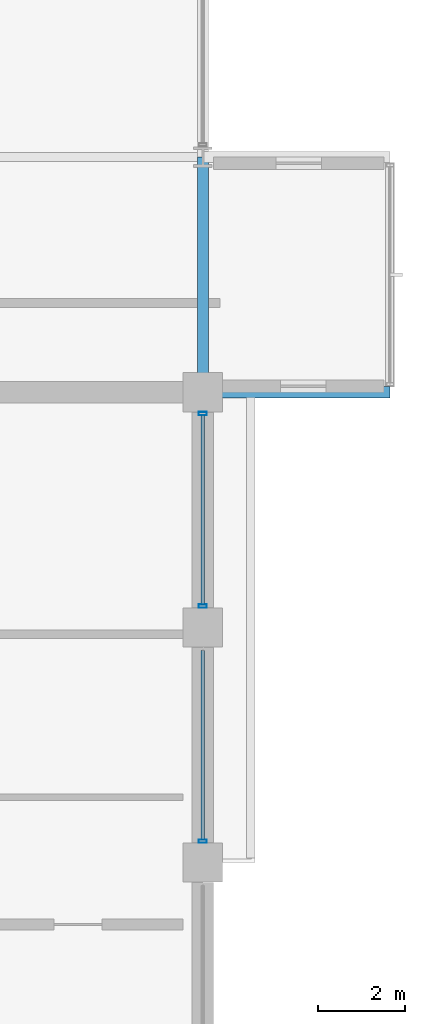
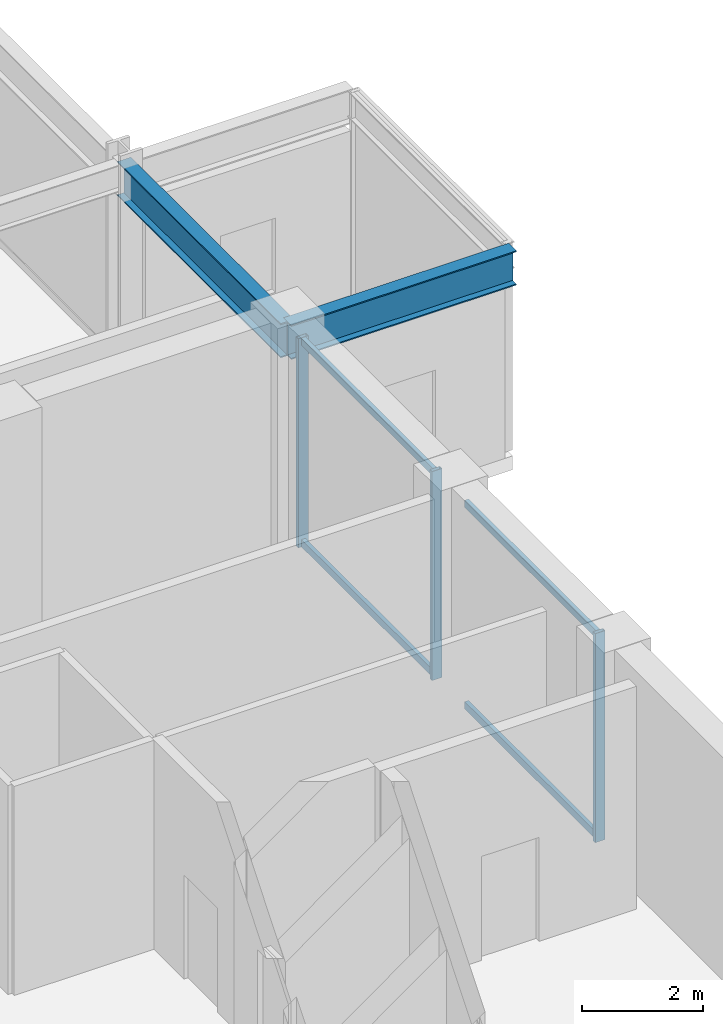
# One storey, part 9 of 22: 7 members, 2 beams, 1 element without a shape of its own.
"""IFC4 building model written with IfcOpenShell, lengths in metres."""

from ifc_helpers import new_model, si_unit, direction, frame, origin, origin_2d, place, context, subcontext, project, spatial, hollow_rectangle, i_section, extrude, material, layer, layer_set, material_profile, profile_set, type_object, element, aggregate, save


model = new_model("IFC4")

# Units and contexts
model_context = context("Model", 3, precision=1e-05, world=origin(), true_north=direction((0.0, 1.0)))
body_context = subcontext(model_context, "Body", "Model", "MODEL_VIEW")
ifc_project = project(units=[si_unit("LENGTHUNIT", "METRE"), si_unit("AREAUNIT", "SQUARE_METRE"), si_unit("VOLUMEUNIT", "CUBIC_METRE"), si_unit("PLANEANGLEUNIT", "RADIAN"), si_unit("MASSUNIT", "GRAM", prefix="KILO")], contexts=[model_context])

# Site, building, storey
site_placement = place(None, origin())
site = spatial("IfcSite", under=ifc_project, at=site_placement, CompositionType="ELEMENT")
building_placement = place(site_placement, origin())
building = spatial("IfcBuilding", under=site, at=building_placement, Name="Surkhivell Harbour Commons", CompositionType="ELEMENT")
storey_placement = place(building_placement, frame((0.0, 0.0, 342.0)))
storey = spatial("IfcBuildingStorey", under=building, at=storey_placement, Name="L89", CompositionType="ELEMENT", Elevation=342.0)

# Beams
ifc_material_1 = material(Name="Steel S460", Category="steel")
ifc_material_profile_1 = material_profile(ifc_material_1, i_section(OverallWidth=0.256103515625, OverallDepth=0.693115234375, WebThickness=0.014404296875, FlangeThickness=0.023681640625, at=origin_2d()), Name="UB686x254x170")
ifc_profile_set_1 = profile_set([ifc_material_profile_1], Name="Steel S460")
beam_type_1 = type_object("IfcBeamType", Name="BM-CNT-686", PredefinedType="BEAM", material=ifc_profile_set_1)
beam_1_placement = place(storey_placement, frame((10.800048828125, 10.800048828125, 3.87353515625), z_axis=(1.0, 0.0, 0.0), x_axis=(0.0, 1.0, 0.0)))
element("IfcBeam", 1, at=beam_1_placement, inside=storey, type_object=beam_type_1, Name="L89 Box Cantilever Outrigger (10.8,10.8)", PredefinedType="BEAM", context=body_context, shape_type="SweptSolid", body=[
    extrude(i_section(OverallWidth=0.256103515625, OverallDepth=0.693115234375, WebThickness=0.014404296875, FlangeThickness=0.023681640625, at=origin_2d()), origin(), (0.0, 0.0, 1.0), 4.300048828125),
])
ifc_material_2 = material(Name="Steel S355", Category="steel")
ifc_material_profile_2 = material_profile(ifc_material_2, i_section(OverallWidth=0.256103515625, OverallDepth=0.693115234375, WebThickness=0.014404296875, FlangeThickness=0.023681640625, at=origin_2d()), Name="UB686x254x170")
ifc_profile_set_2 = profile_set([ifc_material_profile_2], Name="Steel S355")
beam_type_2 = type_object("IfcBeamType", Name="BM-SPN-686", PredefinedType="SPANDREL", material=ifc_profile_set_2)
beam_2_placement = place(storey_placement, frame((10.800048828125, 10.800048828125, 3.87353515625), z_axis=(0.0, 1.0, 0.0), x_axis=(-1.0, 0.0, 0.0)))
element("IfcBeam", 2, at=beam_2_placement, inside=storey, type_object=beam_type_2, Name="L89 Tube Spandrel (10.8,10.8)", PredefinedType="SPANDREL", context=body_context, shape_type="SweptSolid", body=[
    extrude(i_section(OverallWidth=0.256103515625, OverallDepth=0.693115234375, WebThickness=0.014404296875, FlangeThickness=0.023681640625, at=origin_2d()), origin(), (0.0, 0.0, 1.0), 5.39990234375),
])

# Curtain wall, members
ifc_material_3 = material(Name="Anodised pale-metal aluminium and insulated glazing", Category="aluminium")
ifc_layer = layer(ifc_material_3, 0.22998046875)
ifc_layer_set = layer_set([ifc_layer], Name="Anodised pale-metal aluminium and insulated glazing")
curtain_wall_type = type_object("IfcCurtainWallType", Name="CW-SYS-CRN", PredefinedType="NOTDEFINED", material=ifc_layer_set)
curtain_wall_placement = place(storey_placement, origin())
curtain_wall = element("IfcCurtainWall", 3, at=curtain_wall_placement, inside=storey, type_object=curtain_wall_type, Name="L89 Curtain Wall CW-L89-C04S1", PredefinedType="NOTDEFINED")
ifc_material_4 = material(Name="Anodised pale-metal aluminium alloy 6063-T6", Category="aluminium")
ifc_material_profile_3 = material_profile(ifc_material_4, hollow_rectangle(XDim=0.074951171875, YDim=0.18994140625, WallThickness=0.00390625, at=origin_2d()), Name="ALU-MULL-75x190")
ifc_profile_set_3 = profile_set([ifc_material_profile_3], Name="Anodised pale-metal aluminium alloy 6063-T6")
member_type_1 = type_object("IfcMemberType", Name="CWM-190", PredefinedType="MULLION", material=ifc_profile_set_3)
member_1_placement = place(storey_placement, frame((10.800048828125, 0.489501953125, 0.0), z_axis=(0.0, 0.0, 1.0), x_axis=(0.0, 1.0, 0.0)))
member_1 = element("IfcMember", 4, at=member_1_placement, type_object=member_type_1, Name="CW-CRN mullion 3", PredefinedType="MULLION", context=body_context, shape_type="SweptSolid", body=[
    extrude(hollow_rectangle(XDim=0.074951171875, YDim=0.18994140625, WallThickness=0.00390625, at=origin_2d()), origin(), (0.0, 0.0, 1.0), 4.219970703125),
])
member_2_placement = place(storey_placement, frame((10.800048828125, 5.889404296875, 0.0), z_axis=(0.0, 0.0, 1.0), x_axis=(0.0, 1.0, 0.0)))
member_2 = element("IfcMember", 5, at=member_2_placement, type_object=member_type_1, Name="CW-CRN mullion 4", PredefinedType="MULLION", context=body_context, shape_type="SweptSolid", body=[
    extrude(hollow_rectangle(XDim=0.074951171875, YDim=0.18994140625, WallThickness=0.00390625, at=origin_2d()), origin(), (0.0, 0.0, 1.0), 4.219970703125),
])
member_3_placement = place(storey_placement, frame((10.800048828125, 10.310546875, 0.0), z_axis=(0.0, 0.0, 1.0), x_axis=(0.0, 1.0, 0.0)))
member_3 = element("IfcMember", 6, at=member_3_placement, type_object=member_type_1, Name="CW-CRN mullion 5", PredefinedType="MULLION", context=body_context, shape_type="SweptSolid", body=[
    extrude(hollow_rectangle(XDim=0.074951171875, YDim=0.18994140625, WallThickness=0.00390625, at=origin_2d()), origin(), (0.0, 0.0, 1.0), 4.219970703125),
])
ifc_material_profile_4 = material_profile(ifc_material_4, hollow_rectangle(XDim=0.074951171875, YDim=0.14990234375, WallThickness=0.00341796875, at=origin_2d()), Name="ALU-TRAN-75x150")
ifc_profile_set_4 = profile_set([ifc_material_profile_4], Name="Anodised pale-metal aluminium alloy 6063-T6")
member_type_2 = type_object("IfcMemberType", Name="CWT-150", PredefinedType="USERDEFINED", material=ifc_profile_set_4)
member_4_placement = place(storey_placement, frame((10.800048828125, 0.527099609375, 0.074951171875), z_axis=(0.0, 1.0, 0.0), x_axis=(-1.0, 0.0, 0.0)))
member_4 = element("IfcMember", 7, at=member_4_placement, type_object=member_type_2, Name="CW-CRN transom 3.1", ObjectType="TRANSOM", PredefinedType="USERDEFINED", context=body_context, shape_type="SweptSolid", body=[
    extrude(hollow_rectangle(XDim=0.074951171875, YDim=0.14990234375, WallThickness=0.00341796875, at=origin_2d()), origin(), (0.0, 0.0, 1.0), 4.345947265625),
])
member_5_placement = place(storey_placement, frame((10.800048828125, 0.527099609375, 4.14501953125), z_axis=(0.0, 1.0, 0.0), x_axis=(-1.0, 0.0, 0.0)))
member_5 = element("IfcMember", 8, at=member_5_placement, type_object=member_type_2, Name="CW-CRN transom 3.2", ObjectType="TRANSOM", PredefinedType="USERDEFINED", context=body_context, shape_type="SweptSolid", body=[
    extrude(hollow_rectangle(XDim=0.074951171875, YDim=0.14990234375, WallThickness=0.00341796875, at=origin_2d()), origin(), (0.0, 0.0, 1.0), 4.345947265625),
])
member_6_placement = place(storey_placement, frame((10.800048828125, 5.927001953125, 0.074951171875), z_axis=(0.0, 1.0, 0.0), x_axis=(-1.0, 0.0, 0.0)))
member_6 = element("IfcMember", 9, at=member_6_placement, type_object=member_type_2, Name="CW-CRN transom 4.1", ObjectType="TRANSOM", PredefinedType="USERDEFINED", context=body_context, shape_type="SweptSolid", body=[
    extrude(hollow_rectangle(XDim=0.074951171875, YDim=0.14990234375, WallThickness=0.00341796875, at=origin_2d()), origin(), (0.0, 0.0, 1.0), 4.345947265625),
])
member_7_placement = place(storey_placement, frame((10.800048828125, 5.927001953125, 4.14501953125), z_axis=(0.0, 1.0, 0.0), x_axis=(-1.0, 0.0, 0.0)))
member_7 = element("IfcMember", 10, at=member_7_placement, type_object=member_type_2, Name="CW-CRN transom 4.2", ObjectType="TRANSOM", PredefinedType="USERDEFINED", context=body_context, shape_type="SweptSolid", body=[
    extrude(hollow_rectangle(XDim=0.074951171875, YDim=0.14990234375, WallThickness=0.00341796875, at=origin_2d()), origin(), (0.0, 0.0, 1.0), 4.345947265625),
])
aggregate(curtain_wall, [member_1, member_4, member_5, member_2, member_3, member_6, member_7])

save(model, "model.ifc")
